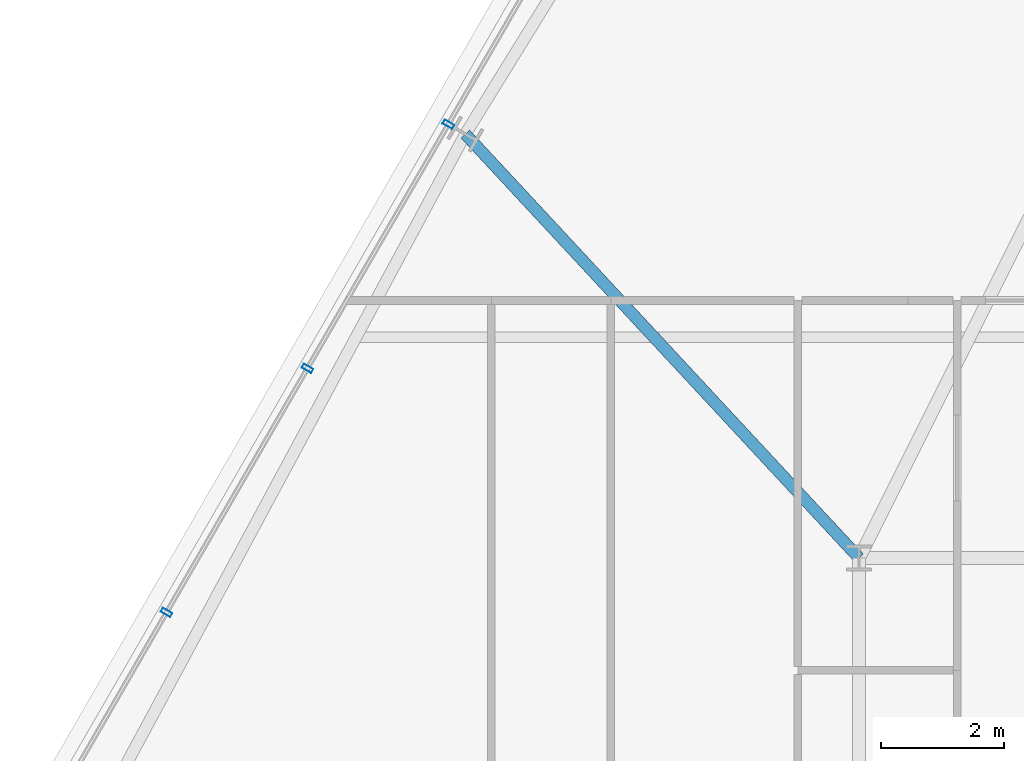
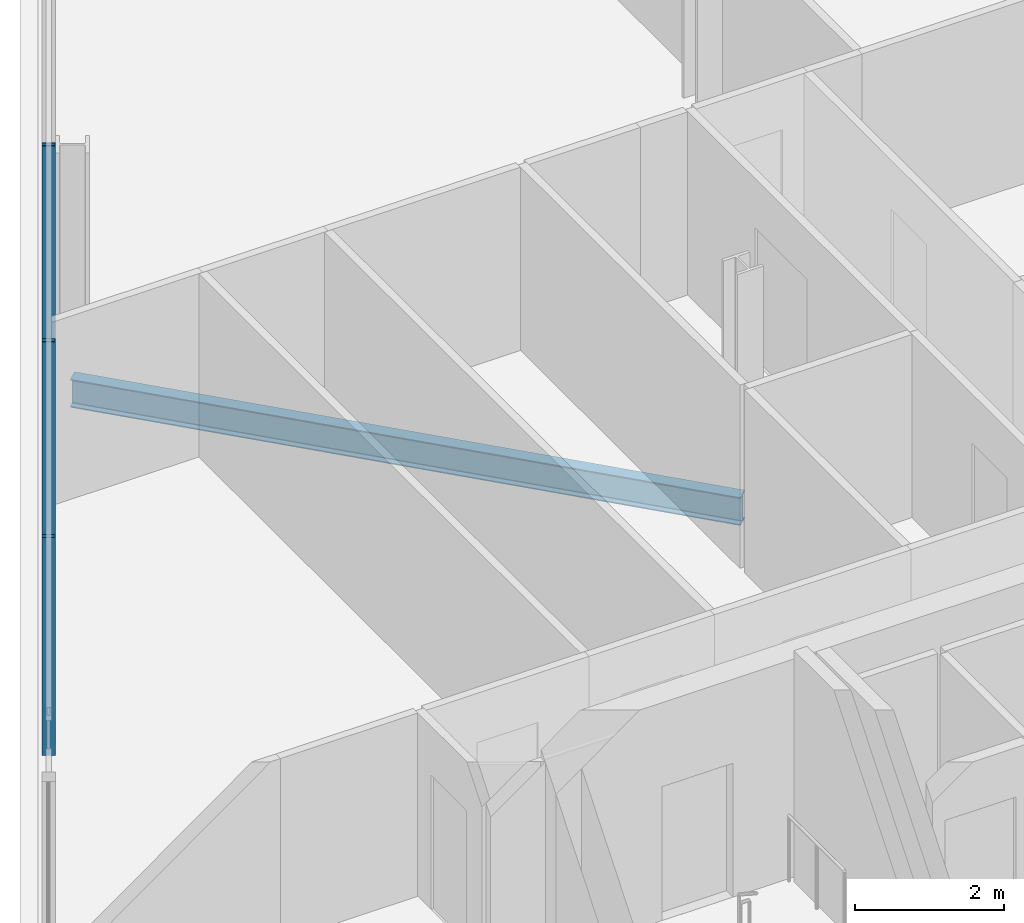
# One storey, part 11 of 33: 3 members, 1 beam, 1 element without a shape of its own.
"""IFC4 building model written with IfcOpenShell, lengths in metres."""

from ifc_helpers import new_model, si_unit, direction, frame, origin, origin_2d, place, context, subcontext, project, spatial, hollow_rectangle, i_section, extrude, material, layer, layer_set, material_profile, profile_set, type_object, element, aggregate, save


model = new_model("IFC4")

# Units and contexts
model_context = context("Model", 3, precision=1e-05, world=origin(), true_north=direction((0.0, 1.0)))
body_context = subcontext(model_context, "Body", "Model", "MODEL_VIEW")
ifc_project = project(units=[si_unit("LENGTHUNIT", "METRE"), si_unit("AREAUNIT", "SQUARE_METRE"), si_unit("VOLUMEUNIT", "CUBIC_METRE"), si_unit("PLANEANGLEUNIT", "RADIAN"), si_unit("MASSUNIT", "GRAM", prefix="KILO")], contexts=[model_context])

# Site, building, storey
site_placement = place(None, origin())
site = spatial("IfcSite", under=ifc_project, at=site_placement, CompositionType="ELEMENT")
building_placement = place(site_placement, origin())
building = spatial("IfcBuilding", under=site, at=building_placement, Name="Ndaravel Arena Tower", CompositionType="ELEMENT")
storey_placement = place(building_placement, frame((0.0, 0.0, 161.199951171875)))
storey = spatial("IfcBuildingStorey", under=building, at=storey_placement, Name="L38", CompositionType="ELEMENT", Elevation=161.199951171875)

# Beam
ifc_material_1 = material(Name="Steel S355", Category="steel")
ifc_material_profile_1 = material_profile(ifc_material_1, i_section(OverallWidth=0.19140625, OverallDepth=0.4599609375, WebThickness=0.010009765625, FlangeThickness=0.01611328125, FilletRadius=0.01025390625, at=origin_2d()), Name="UB 457x191x82")
ifc_profile_set_1 = profile_set([ifc_material_profile_1], Name="Steel S355")
beam_type = type_object("IfcBeamType", Name="BM-GIRD-UB457", PredefinedType="BEAM", material=ifc_profile_set_1)
beam_placement = place(storey_placement, frame((27.77685546875, 30.114990234375, -0.449951171875), z_axis=(0.680564202246, -0.732688451268, 0.0), x_axis=(0.732688451268, 0.680564202246, 0.0)))
element("IfcBeam", 1, at=beam_placement, inside=storey, type_object=beam_type, Name="L38 Radial Floor Girder FG-19", PredefinedType="BEAM", context=body_context, shape_type="SweptSolid", body=[
    extrude(i_section(OverallWidth=0.19140625, OverallDepth=0.4599609375, WebThickness=0.010009765625, FlangeThickness=0.01611328125, FilletRadius=0.01025390625, at=origin_2d()), origin(), (0.0, 0.0, 1.0), 9.43798828125),
])

# Curtain wall, members
ifc_material_2 = material(Name="Aluminium", Category="aluminium")
ifc_layer = layer(ifc_material_2, 0.179931640625)
ifc_layer_set = layer_set([ifc_layer], Name="Aluminium")
curtain_wall_type = type_object("IfcCurtainWallType", Name="CW-SYS-03", PredefinedType="NOTDEFINED", material=ifc_layer_set)
curtain_wall_placement = place(storey_placement, origin())
curtain_wall = element("IfcCurtainWall", 2, at=curtain_wall_placement, inside=storey, type_object=curtain_wall_type, Name="L38 Faceted Crystal Curtain Wall CW-L38-E05", PredefinedType="NOTDEFINED")
ifc_material_3 = material(Name="Aluminium", Category="aluminium")
ifc_material_profile_2 = material_profile(ifc_material_3, hollow_rectangle(XDim=0.074951171875, YDim=0.179931640625, WallThickness=0.00390625, at=origin_2d()), Name="CW MULLION 75x180x4")
ifc_profile_set_2 = profile_set([ifc_material_profile_2], Name="Aluminium")
member_type = type_object("IfcMemberType", Name="MEM-CW-MUL180", PredefinedType="MULLION", material=ifc_profile_set_2)
member_1_placement = place(storey_placement, frame((27.499755859375, 30.275146484375, 0.0), z_axis=(0.0, 0.0, 1.0), x_axis=(-0.5, -0.866025403784, 0.0)))
member_1 = element("IfcMember", 3, at=member_1_placement, type_object=member_type, Name="CW-L38-E05 Mullion 04", PredefinedType="MULLION", context=body_context, shape_type="SweptSolid", body=[
    extrude(hollow_rectangle(XDim=0.074951171875, YDim=0.179931640625, WallThickness=0.00390625, at=origin_2d()), origin(), (0.0, 0.0, 1.0), 3.580078125),
])
member_2_placement = place(storey_placement, frame((25.200927734375, 26.29345703125, 0.0), z_axis=(0.0, 0.0, 1.0), x_axis=(-0.5, -0.866025403784, 0.0)))
member_2 = element("IfcMember", 4, at=member_2_placement, type_object=member_type, Name="CW-L38-E05 Mullion 05", PredefinedType="MULLION", context=body_context, shape_type="SweptSolid", body=[
    extrude(hollow_rectangle(XDim=0.074951171875, YDim=0.179931640625, WallThickness=0.00390625, at=origin_2d()), origin(), (0.0, 0.0, 1.0), 3.580078125),
])
member_3_placement = place(storey_placement, frame((22.902099609375, 22.311767578125, 0.0), z_axis=(0.0, 0.0, 1.0), x_axis=(-0.5, -0.866025403784, 0.0)))
member_3 = element("IfcMember", 5, at=member_3_placement, type_object=member_type, Name="CW-L38-E05 Mullion 06", PredefinedType="MULLION", context=body_context, shape_type="SweptSolid", body=[
    extrude(hollow_rectangle(XDim=0.074951171875, YDim=0.179931640625, WallThickness=0.00390625, at=origin_2d()), origin(), (0.0, 0.0, 1.0), 3.580078125),
])
aggregate(curtain_wall, [member_1, member_2, member_3])

save(model, "model.ifc")
